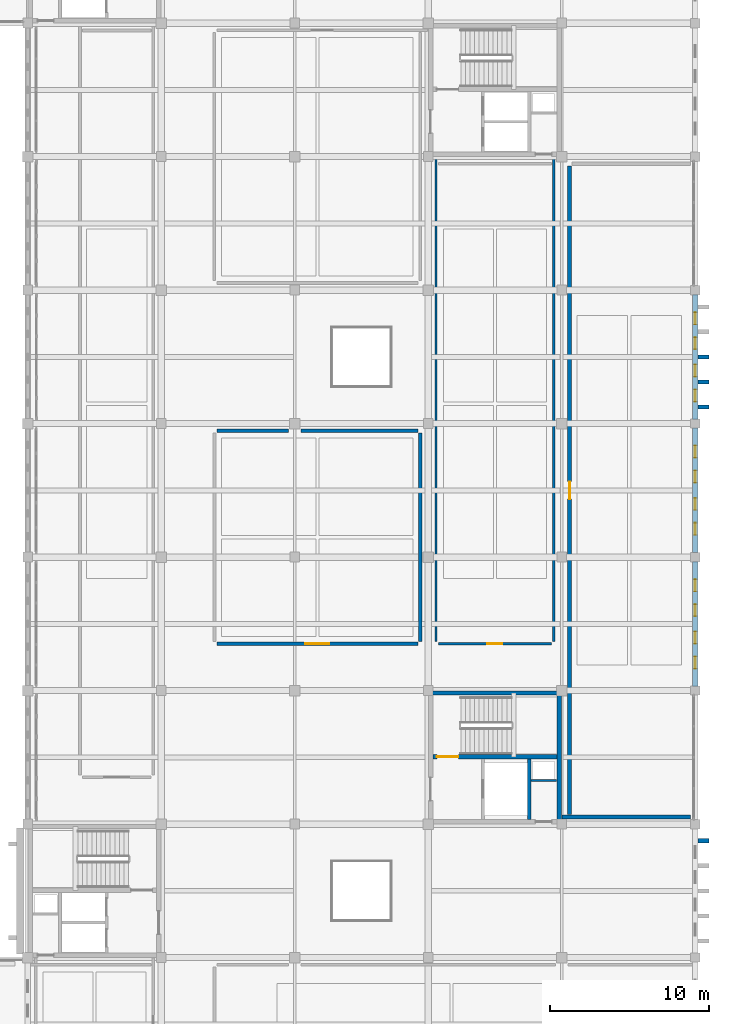
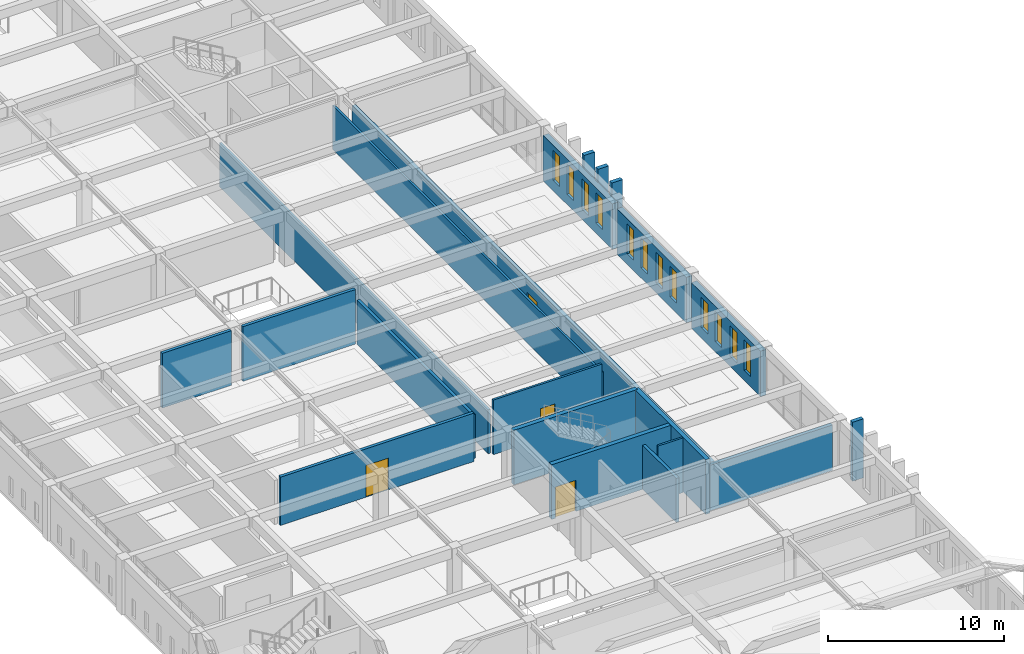
# One storey, part 35 of 47: 21 walls, 12 windows, 4 doors, 16 openings.
"""IFC4 building model written with IfcOpenShell, lengths in metres."""

import ifcopenshell
import ifcopenshell.guid

model = None  # the IFC model being written
_history = None  # IfcOwnerHistory: only IFC2X3 demands one
_inside = {}  # id of a spatial element -> (the spatial element, [elements in it])
_under = {}  # id of a project, library or spatial element -> (it, [spatial elements below it])
_declared = {}  # id of a project -> (the project, [libraries it declares])
_typed = {}  # id of a type object -> (the type object, [elements of that type])
_made_of = {}  # id of a material, layer set ... -> (it, [elements and type objects made of it])


def new_model(schema):
    """Start an empty IFC model of exactly this schema.

    Asked for "IFC4X3", IfcOpenShell would pick the latest addendum, in which some entities
    have other attributes; the version numbers below select the first issue.
    IFC2X3 requires an IfcOwnerHistory on every rooted entity: one is made here for all.
    """
    global model, _history
    if schema == "IFC4X3":
        model = ifcopenshell.file(schema_version=(4, 3, 0, 0))
    else:
        model = ifcopenshell.file(schema=schema)
    _inside.clear()
    _under.clear()
    _declared.clear()
    _typed.clear()
    _made_of.clear()
    _history = None
    if model.schema == "IFC2X3":
        org = make("IfcOrganization", Name="unknown")
        user = make(
            "IfcPersonAndOrganization",
            ThePerson=make("IfcPerson", FamilyName="unknown"),
            TheOrganization=org,
        )
        app = make(
            "IfcApplication",
            ApplicationDeveloper=org,
            Version="unknown",
            ApplicationFullName="unknown",
            ApplicationIdentifier="unknown",
        )
        _history = make(
            "IfcOwnerHistory",
            OwningUser=user,
            OwningApplication=app,
            ChangeAction="ADDED",
            CreationDate=0,
        )
    return model


def make(cls, **values):
    """One entity of the class cls with the attributes given. An attribute that is None is left unset."""
    return model.create_entity(
        cls, **{name: value for name, value in values.items() if value is not None}
    )


def rooted(cls, **values):
    """An entity with a GlobalId (a new one), such as an element, a storey or a relation."""
    return make(cls, GlobalId=ifcopenshell.guid.new(), OwnerHistory=_history, **values)


def si_unit(unit_type, name, prefix=None):
    """IfcSIUnit, for example si_unit("LENGTHUNIT", "METRE", prefix="MILLI")."""
    return make("IfcSIUnit", UnitType=unit_type, Prefix=prefix, Name=name)


def assignment(units):
    """IfcUnitAssignment: the units of a project."""
    return None if units is None else make("IfcUnitAssignment", Units=units)


def point(xyz):
    """IfcCartesianPoint."""
    return None if xyz is None else make("IfcCartesianPoint", Coordinates=xyz)


def direction(xyz):
    """IfcDirection."""
    return None if xyz is None else make("IfcDirection", DirectionRatios=xyz)


def frame(location, z_axis=None, x_axis=None):
    """IfcAxis2Placement3D, a coordinate frame: its origin and axes. An axis left out is left unset."""
    return make(
        "IfcAxis2Placement3D",
        Location=point(location),
        Axis=direction(z_axis),
        RefDirection=direction(x_axis),
    )


def frame_2d(location, x_axis=None):
    """IfcAxis2Placement2D, a coordinate frame in the plane: its origin and x axis."""
    return make(
        "IfcAxis2Placement2D", Location=point(location), RefDirection=direction(x_axis)
    )


def origin():
    """The frame at (0, 0, 0) with its axes left unset."""
    return frame((0.0, 0.0, 0.0))


def place(relative_to, where):
    """IfcLocalPlacement: puts the frame where relative to a parent placement (None: the world)."""
    return make(
        "IfcLocalPlacement", PlacementRelTo=relative_to, RelativePlacement=where
    )


def context(
    kind, dimensions, precision=None, world=None, true_north=None, identifier=None
):
    """IfcGeometricRepresentationContext, for example the 3D "Model" context."""
    return make(
        "IfcGeometricRepresentationContext",
        ContextIdentifier=identifier,
        ContextType=kind,
        CoordinateSpaceDimension=dimensions,
        Precision=precision,
        WorldCoordinateSystem=world,
        TrueNorth=true_north,
    )


def subcontext(parent, identifier, kind, view, scale=None):
    """IfcGeometricRepresentationSubContext, for example "Body" below "Model"."""
    return make(
        "IfcGeometricRepresentationSubContext",
        ContextIdentifier=identifier,
        ContextType=kind,
        ParentContext=parent,
        TargetScale=scale,
        TargetView=view,
    )


def project(units=None, contexts=None):
    """IfcProject with its units and contexts."""
    return rooted(
        "IfcProject",
        Name="project",
        RepresentationContexts=contexts,
        UnitsInContext=assignment(units),
    )


def spatial(cls, under=None, at=None, **own):
    """A site, building, storey or space (cls), placed at a placement, below another one or the project."""
    s = rooted(cls, ObjectPlacement=at, **own)
    if under is not None:
        _under.setdefault(under.id(), (under, []))[1].append(s)
    return s


def profile(cls, at=None, kind="AREA", **sizes):
    """A parametric profile (cls). Its sizes go by their IFC names, for example OverallWidth=200.0."""
    return make(cls, ProfileType=kind, Position=at, **sizes)


def rectangle(**sizes):
    """IfcRectangleProfileDef."""
    return profile("IfcRectangleProfileDef", **sizes)


def extrude(swept, where, along, depth):
    """IfcExtrudedAreaSolid: the profile swept, set in the frame where, extruded along a direction by depth."""
    return make(
        "IfcExtrudedAreaSolid",
        SweptArea=swept,
        Position=where,
        ExtrudedDirection=direction(along),
        Depth=depth,
    )


def shape(context_of_items, identifier, shape_type, items):
    """IfcShapeRepresentation: the items that make up one representation, for example the "Body"."""
    return make(
        "IfcShapeRepresentation",
        ContextOfItems=context_of_items,
        RepresentationIdentifier=identifier,
        RepresentationType=shape_type,
        Items=items,
    )


def material(Name=None, Category=None):
    """IfcMaterial."""
    return make("IfcMaterial", Name=Name, Category=Category)


def layer(
    of_material, thickness, ventilated=None, Name=None, Category=None, Priority=None
):
    """IfcMaterialLayer: one layer of a wall or slab, of a material (None: an air gap)."""
    return make(
        "IfcMaterialLayer",
        Material=of_material,
        LayerThickness=thickness,
        IsVentilated=ventilated,
        Name=Name,
        Category=Category,
        Priority=Priority,
    )


def layer_set(layers, Name=None):
    """IfcMaterialLayerSet."""
    return make("IfcMaterialLayerSet", MaterialLayers=layers, LayerSetName=Name)


def made_of(thing, what):
    """Note that an element or type object is made of a material, layer set ...; save() writes the relation."""
    if what is not None:
        _made_of.setdefault(what.id(), (what, []))[1].append(thing)
    return thing


def type_object(cls, material=None, **own):
    """A type object (cls), such as IfcWallType, which elements share."""
    return made_of(rooted(cls, **own), material)


def element(
    cls,
    number,
    at=None,
    inside=None,
    cuts=None,
    type_object=None,
    material=None,
    context=None,
    identifier="Body",
    shape_type=None,
    held_by="IfcProductDefinitionShape",
    body=None,
    shapes=None,
    **own,
):
    """One element of the class cls, such as IfcWall. Its Tag is "e" and its number.

    at: its placement. inside: the storey or other place that contains it. cuts: it is an
    opening in that element (IfcRelVoidsElement). A single representation is given by context,
    identifier, shape_type and body (its items); several are given by shapes. held_by: the class
    of the entity that holds the representations. save() writes the other relations.
    """
    e = rooted(cls, Tag="e%d" % number, ObjectPlacement=at, **own)
    if body is not None:
        shapes = [shape(context, identifier, shape_type, body)]
    if shapes is not None:
        e.Representation = make(held_by, Representations=shapes)
    if inside is not None:
        _inside.setdefault(inside.id(), (inside, []))[1].append(e)
    if cuts is not None:
        rooted(
            "IfcRelVoidsElement", RelatingBuildingElement=cuts, RelatedOpeningElement=e
        )
    if type_object is not None:
        _typed.setdefault(type_object.id(), (type_object, []))[1].append(e)
    return made_of(e, material)


def fill(opening, filler):
    """IfcRelFillsElement: the door or window that sits in an opening."""
    return rooted(
        "IfcRelFillsElement",
        RelatingOpeningElement=opening,
        RelatedBuildingElement=filler,
    )


def aggregate(whole, parts):
    """IfcRelAggregates: a whole, such as a stair, and the parts it consists of."""
    return rooted("IfcRelAggregates", RelatingObject=whole, RelatedObjects=parts)


def save(model, path):
    """Write the relations noted so far, then the file.

    IfcRelAggregates (storeys below a building ...), IfcRelContainedInSpatialStructure (elements
    in a storey), IfcRelDefinesByType, IfcRelAssociatesMaterial and IfcRelDeclares: one each for
    every whole, place, type object, material and project.
    """
    for whole, parts in _under.values():
        aggregate(whole, parts)
    for where, things in _inside.values():
        rooted(
            "IfcRelContainedInSpatialStructure",
            RelatedElements=things,
            RelatingStructure=where,
        )
    for kind, things in _typed.values():
        rooted("IfcRelDefinesByType", RelatedObjects=things, RelatingType=kind)
    for what, things in _made_of.values():
        rooted("IfcRelAssociatesMaterial", RelatedObjects=things, RelatingMaterial=what)
    for by, libraries in _declared.values():
        rooted("IfcRelDeclares", RelatingContext=by, RelatedDefinitions=libraries)
    model.write(path)


model = new_model("IFC4")

# Units and contexts
model_context = context("Model", 3, precision=1e-05, world=origin(), true_north=direction((0.0, 1.0)))
body_context = subcontext(model_context, "Body", "Model", "MODEL_VIEW")
ifc_project = project(units=[si_unit("LENGTHUNIT", "METRE"), si_unit("AREAUNIT", "SQUARE_METRE"), si_unit("VOLUMEUNIT", "CUBIC_METRE"), si_unit("PLANEANGLEUNIT", "RADIAN"), si_unit("MASSUNIT", "GRAM", prefix="KILO")], contexts=[model_context])

# Site, building, storey
site_placement = place(None, origin())
site = spatial("IfcSite", under=ifc_project, at=site_placement, CompositionType="ELEMENT")
building_placement = place(site_placement, origin())
building = spatial("IfcBuilding", under=site, at=building_placement, Name="Kveldsbrygga Polytechnic", CompositionType="ELEMENT")
storey_placement = place(building_placement, frame((0.0, 0.0, 13.93994140625)))
storey = spatial("IfcBuildingStorey", under=building, at=storey_placement, Name="L03", CompositionType="ELEMENT", Elevation=13.93994140625)

# Wall, openings, windows
ifc_material_1 = material(Name="Fired clay brick masonry M10", Category="masonry")
ifc_layer_1 = layer(ifc_material_1, 0.360107421875)
ifc_layer_set_1 = layer_set([ifc_layer_1], Name="Fired clay brick masonry M10")
wall_type_1 = type_object("IfcWallType", Name="EW-BRICK-360", PredefinedType="SOLIDWALL", material=ifc_layer_set_1)
wall_1_placement = place(storey_placement, frame((168.0, 42.27490234375, 0.0), z_axis=(0.0, 0.0, 1.0), x_axis=(0.0, 1.0, 0.0)))
wall_1 = element("IfcWall", 1, at=wall_1_placement, inside=storey, type_object=wall_type_1, Name="Exterior Brick Wall EW-L03-Y-20-05", PredefinedType="SOLIDWALL", context=body_context, shape_type="SweptSolid", body=[
    extrude(rectangle(XDim=7.840087890625, YDim=0.360107421875, at=frame_2d((3.919921875, 0.0))), origin(), (0.0, 0.0, 1.0), 3.150146484375),
])
opening_1_placement = place(wall_1_placement, frame((1.114501953125, 0.0, 0.699951171875)))
opening_1 = element("IfcOpeningElement", 2, at=opening_1_placement, cuts=wall_1, Name="Opening W-27", PredefinedType="OPENING", context=body_context, shape_type="SweptSolid", body=[
    extrude(rectangle(XDim=0.75, YDim=2.10009765625, at=frame_2d((0.375, 1.050048828125))), frame((0.0, 0.18994140625, 0.0), z_axis=(0.0, -1.0, 0.0), x_axis=(1.0, 0.0, 0.0)), (0.0, 0.0, 1.0), 0.380126953125),
])
opening_2_placement = place(wall_1_placement, frame((2.6826171875, 0.0, 0.699951171875)))
opening_2 = element("IfcOpeningElement", 3, at=opening_2_placement, cuts=wall_1, Name="Opening W-27", PredefinedType="OPENING", context=body_context, shape_type="SweptSolid", body=[
    extrude(rectangle(XDim=0.75, YDim=2.10009765625, at=frame_2d((0.375, 1.050048828125))), frame((0.0, 0.18994140625, 0.0), z_axis=(0.0, -1.0, 0.0), x_axis=(1.0, 0.0, 0.0)), (0.0, 0.0, 1.0), 0.380126953125),
])
opening_3_placement = place(wall_1_placement, frame((4.407470703125, 0.0, 0.699951171875)))
opening_3 = element("IfcOpeningElement", 4, at=opening_3_placement, cuts=wall_1, Name="Opening W-27", PredefinedType="OPENING", context=body_context, shape_type="SweptSolid", body=[
    extrude(rectangle(XDim=0.75, YDim=2.10009765625, at=frame_2d((0.375, 1.050048828125))), frame((0.0, 0.18994140625, 0.0), z_axis=(0.0, -1.0, 0.0), x_axis=(1.0, 0.0, 0.0)), (0.0, 0.0, 1.0), 0.380126953125),
])
opening_4_placement = place(wall_1_placement, frame((5.975341796875, 0.0, 0.699951171875)))
opening_4 = element("IfcOpeningElement", 5, at=opening_4_placement, cuts=wall_1, Name="Opening W-27", PredefinedType="OPENING", context=body_context, shape_type="SweptSolid", body=[
    extrude(rectangle(XDim=0.75, YDim=2.10009765625, at=frame_2d((0.375, 1.050048828125))), frame((0.0, 0.18994140625, 0.0), z_axis=(0.0, -1.0, 0.0), x_axis=(1.0, 0.0, 0.0)), (0.0, 0.0, 1.0), 0.380126953125),
])
ifc_material_2 = material(Name="Insulated triple low-E glass", Category="glass")
window_type = type_object("IfcWindowType", Name="WN-ATTIC-075x210", PartitioningType="DOUBLE_PANEL_VERTICAL", PredefinedType="WINDOW", material=ifc_material_2)
window_1_placement = place(opening_1_placement, origin())
window_1 = element("IfcWindow", 6, at=window_1_placement, inside=storey, type_object=window_type, Name="Gothic Lancet Window WIN-L03-Y-20-05-1", OverallHeight=2.10009765625, OverallWidth=0.75, PartitioningType="DOUBLE_PANEL_VERTICAL", PredefinedType="WINDOW", context=body_context, shape_type="SweptSolid", body=[
    extrude(rectangle(XDim=0.75, YDim=2.10009765625, at=frame_2d((0.375, 1.050048828125))), frame((0.0, 0.030029296875, 0.0), z_axis=(0.0, -1.0, 0.0), x_axis=(1.0, 0.0, 0.0)), (0.0, 0.0, 1.0), 0.06005859375),
])
fill(opening_1, window_1)
window_2_placement = place(opening_2_placement, origin())
window_2 = element("IfcWindow", 7, at=window_2_placement, inside=storey, type_object=window_type, Name="Gothic Lancet Window WIN-L03-Y-20-05-2", OverallHeight=2.10009765625, OverallWidth=0.75, PartitioningType="DOUBLE_PANEL_VERTICAL", PredefinedType="WINDOW", context=body_context, shape_type="SweptSolid", body=[
    extrude(rectangle(XDim=0.75, YDim=2.10009765625, at=frame_2d((0.375, 1.050048828125))), frame((0.0, 0.030029296875, 0.0), z_axis=(0.0, -1.0, 0.0), x_axis=(1.0, 0.0, 0.0)), (0.0, 0.0, 1.0), 0.06005859375),
])
fill(opening_2, window_2)
window_3_placement = place(opening_3_placement, origin())
window_3 = element("IfcWindow", 8, at=window_3_placement, inside=storey, type_object=window_type, Name="Gothic Lancet Window WIN-L03-Y-20-05-3", OverallHeight=2.10009765625, OverallWidth=0.75, PartitioningType="DOUBLE_PANEL_VERTICAL", PredefinedType="WINDOW", context=body_context, shape_type="SweptSolid", body=[
    extrude(rectangle(XDim=0.75, YDim=2.10009765625, at=frame_2d((0.375, 1.050048828125))), frame((0.0, 0.030029296875, 0.0), z_axis=(0.0, -1.0, 0.0), x_axis=(1.0, 0.0, 0.0)), (0.0, 0.0, 1.0), 0.06005859375),
])
fill(opening_3, window_3)
window_4_placement = place(opening_4_placement, origin())
window_4 = element("IfcWindow", 9, at=window_4_placement, inside=storey, type_object=window_type, Name="Gothic Lancet Window WIN-L03-Y-20-05-4", OverallHeight=2.10009765625, OverallWidth=0.75, PartitioningType="DOUBLE_PANEL_VERTICAL", PredefinedType="WINDOW", context=body_context, shape_type="SweptSolid", body=[
    extrude(rectangle(XDim=0.75, YDim=2.10009765625, at=frame_2d((0.375, 1.050048828125))), frame((0.0, 0.030029296875, 0.0), z_axis=(0.0, -1.0, 0.0), x_axis=(1.0, 0.0, 0.0)), (0.0, 0.0, 1.0), 0.06005859375),
])
fill(opening_4, window_4)

wall_2_placement = place(storey_placement, frame((168.0, 50.68505859375, 0.0), z_axis=(0.0, 0.0, 1.0), x_axis=(0.0, 1.0, 0.0)))
wall_2 = element("IfcWall", 10, at=wall_2_placement, inside=storey, type_object=wall_type_1, Name="Exterior Brick Wall EW-L03-Y-20-06", PredefinedType="SOLIDWALL", context=body_context, shape_type="SweptSolid", body=[
    extrude(rectangle(XDim=7.83984375, YDim=0.360107421875, at=frame_2d((3.919921875, 0.0))), origin(), (0.0, 0.0, 1.0), 3.150146484375),
])
opening_5_placement = place(wall_2_placement, frame((1.114501953125, 0.0, 0.699951171875)))
opening_5 = element("IfcOpeningElement", 11, at=opening_5_placement, cuts=wall_2, Name="Opening W-27", PredefinedType="OPENING", context=body_context, shape_type="SweptSolid", body=[
    extrude(rectangle(XDim=0.75, YDim=2.10009765625, at=frame_2d((0.375, 1.050048828125))), frame((0.0, 0.18994140625, 0.0), z_axis=(0.0, -1.0, 0.0), x_axis=(1.0, 0.0, 0.0)), (0.0, 0.0, 1.0), 0.380126953125),
])
opening_6_placement = place(wall_2_placement, frame((2.6826171875, 0.0, 0.699951171875)))
opening_6 = element("IfcOpeningElement", 12, at=opening_6_placement, cuts=wall_2, Name="Opening W-27", PredefinedType="OPENING", context=body_context, shape_type="SweptSolid", body=[
    extrude(rectangle(XDim=0.75, YDim=2.10009765625, at=frame_2d((0.375, 1.050048828125))), frame((0.0, 0.18994140625, 0.0), z_axis=(0.0, -1.0, 0.0), x_axis=(1.0, 0.0, 0.0)), (0.0, 0.0, 1.0), 0.380126953125),
])
opening_7_placement = place(wall_2_placement, frame((4.407470703125, 0.0, 0.699951171875)))
opening_7 = element("IfcOpeningElement", 13, at=opening_7_placement, cuts=wall_2, Name="Opening W-27", PredefinedType="OPENING", context=body_context, shape_type="SweptSolid", body=[
    extrude(rectangle(XDim=0.75, YDim=2.10009765625, at=frame_2d((0.375, 1.050048828125))), frame((0.0, 0.18994140625, 0.0), z_axis=(0.0, -1.0, 0.0), x_axis=(1.0, 0.0, 0.0)), (0.0, 0.0, 1.0), 0.380126953125),
])
opening_8_placement = place(wall_2_placement, frame((5.975341796875, 0.0, 0.699951171875)))
opening_8 = element("IfcOpeningElement", 14, at=opening_8_placement, cuts=wall_2, Name="Opening W-27", PredefinedType="OPENING", context=body_context, shape_type="SweptSolid", body=[
    extrude(rectangle(XDim=0.75, YDim=2.10009765625, at=frame_2d((0.375, 1.050048828125))), frame((0.0, 0.18994140625, 0.0), z_axis=(0.0, -1.0, 0.0), x_axis=(1.0, 0.0, 0.0)), (0.0, 0.0, 1.0), 0.380126953125),
])
window_5_placement = place(opening_5_placement, origin())
window_5 = element("IfcWindow", 15, at=window_5_placement, inside=storey, type_object=window_type, Name="Gothic Lancet Window WIN-L03-Y-20-06-1", OverallHeight=2.10009765625, OverallWidth=0.75, PartitioningType="DOUBLE_PANEL_VERTICAL", PredefinedType="WINDOW", context=body_context, shape_type="SweptSolid", body=[
    extrude(rectangle(XDim=0.75, YDim=2.10009765625, at=frame_2d((0.375, 1.050048828125))), frame((0.0, 0.030029296875, 0.0), z_axis=(0.0, -1.0, 0.0), x_axis=(1.0, 0.0, 0.0)), (0.0, 0.0, 1.0), 0.06005859375),
])
fill(opening_5, window_5)
window_6_placement = place(opening_6_placement, origin())
window_6 = element("IfcWindow", 16, at=window_6_placement, inside=storey, type_object=window_type, Name="Gothic Lancet Window WIN-L03-Y-20-06-2", OverallHeight=2.10009765625, OverallWidth=0.75, PartitioningType="DOUBLE_PANEL_VERTICAL", PredefinedType="WINDOW", context=body_context, shape_type="SweptSolid", body=[
    extrude(rectangle(XDim=0.75, YDim=2.10009765625, at=frame_2d((0.375, 1.050048828125))), frame((0.0, 0.030029296875, 0.0), z_axis=(0.0, -1.0, 0.0), x_axis=(1.0, 0.0, 0.0)), (0.0, 0.0, 1.0), 0.06005859375),
])
fill(opening_6, window_6)
window_7_placement = place(opening_7_placement, origin())
window_7 = element("IfcWindow", 17, at=window_7_placement, inside=storey, type_object=window_type, Name="Gothic Lancet Window WIN-L03-Y-20-06-3", OverallHeight=2.10009765625, OverallWidth=0.75, PartitioningType="DOUBLE_PANEL_VERTICAL", PredefinedType="WINDOW", context=body_context, shape_type="SweptSolid", body=[
    extrude(rectangle(XDim=0.75, YDim=2.10009765625, at=frame_2d((0.375, 1.050048828125))), frame((0.0, 0.030029296875, 0.0), z_axis=(0.0, -1.0, 0.0), x_axis=(1.0, 0.0, 0.0)), (0.0, 0.0, 1.0), 0.06005859375),
])
fill(opening_7, window_7)
window_8_placement = place(opening_8_placement, origin())
window_8 = element("IfcWindow", 18, at=window_8_placement, inside=storey, type_object=window_type, Name="Gothic Lancet Window WIN-L03-Y-20-06-4", OverallHeight=2.10009765625, OverallWidth=0.75, PartitioningType="DOUBLE_PANEL_VERTICAL", PredefinedType="WINDOW", context=body_context, shape_type="SweptSolid", body=[
    extrude(rectangle(XDim=0.75, YDim=2.10009765625, at=frame_2d((0.375, 1.050048828125))), frame((0.0, 0.030029296875, 0.0), z_axis=(0.0, -1.0, 0.0), x_axis=(1.0, 0.0, 0.0)), (0.0, 0.0, 1.0), 0.06005859375),
])
fill(opening_8, window_8)

wall_3_placement = place(storey_placement, frame((168.0, 59.074951171875, 0.0), z_axis=(0.0, 0.0, 1.0), x_axis=(0.0, 1.0, 0.0)))
wall_3 = element("IfcWall", 19, at=wall_3_placement, inside=storey, type_object=wall_type_1, Name="Exterior Brick Wall EW-L03-Y-20-07", PredefinedType="SOLIDWALL", context=body_context, shape_type="SweptSolid", body=[
    extrude(rectangle(XDim=7.840087890625, YDim=0.360107421875, at=frame_2d((3.919921875, 0.0))), origin(), (0.0, 0.0, 1.0), 3.150146484375),
])
opening_9_placement = place(wall_3_placement, frame((1.114501953125, 0.0, 0.699951171875)))
opening_9 = element("IfcOpeningElement", 20, at=opening_9_placement, cuts=wall_3, Name="Opening W-27", PredefinedType="OPENING", context=body_context, shape_type="SweptSolid", body=[
    extrude(rectangle(XDim=0.75, YDim=2.10009765625, at=frame_2d((0.375, 1.050048828125))), frame((0.0, 0.18994140625, 0.0), z_axis=(0.0, -1.0, 0.0), x_axis=(1.0, 0.0, 0.0)), (0.0, 0.0, 1.0), 0.380126953125),
])
opening_10_placement = place(wall_3_placement, frame((2.6826171875, 0.0, 0.699951171875)))
opening_10 = element("IfcOpeningElement", 21, at=opening_10_placement, cuts=wall_3, Name="Opening W-27", PredefinedType="OPENING", context=body_context, shape_type="SweptSolid", body=[
    extrude(rectangle(XDim=0.75, YDim=2.10009765625, at=frame_2d((0.375, 1.050048828125))), frame((0.0, 0.18994140625, 0.0), z_axis=(0.0, -1.0, 0.0), x_axis=(1.0, 0.0, 0.0)), (0.0, 0.0, 1.0), 0.380126953125),
])
opening_11_placement = place(wall_3_placement, frame((4.407470703125, 0.0, 0.699951171875)))
opening_11 = element("IfcOpeningElement", 22, at=opening_11_placement, cuts=wall_3, Name="Opening W-27", PredefinedType="OPENING", context=body_context, shape_type="SweptSolid", body=[
    extrude(rectangle(XDim=0.75, YDim=2.10009765625, at=frame_2d((0.375, 1.050048828125))), frame((0.0, 0.18994140625, 0.0), z_axis=(0.0, -1.0, 0.0), x_axis=(1.0, 0.0, 0.0)), (0.0, 0.0, 1.0), 0.380126953125),
])
opening_12_placement = place(wall_3_placement, frame((5.975341796875, 0.0, 0.699951171875)))
opening_12 = element("IfcOpeningElement", 23, at=opening_12_placement, cuts=wall_3, Name="Opening W-27", PredefinedType="OPENING", context=body_context, shape_type="SweptSolid", body=[
    extrude(rectangle(XDim=0.75, YDim=2.10009765625, at=frame_2d((0.375, 1.050048828125))), frame((0.0, 0.18994140625, 0.0), z_axis=(0.0, -1.0, 0.0), x_axis=(1.0, 0.0, 0.0)), (0.0, 0.0, 1.0), 0.380126953125),
])
window_9_placement = place(opening_9_placement, origin())
window_9 = element("IfcWindow", 24, at=window_9_placement, inside=storey, type_object=window_type, Name="Gothic Lancet Window WIN-L03-Y-20-07-1", OverallHeight=2.10009765625, OverallWidth=0.75, PartitioningType="DOUBLE_PANEL_VERTICAL", PredefinedType="WINDOW", context=body_context, shape_type="SweptSolid", body=[
    extrude(rectangle(XDim=0.75, YDim=2.10009765625, at=frame_2d((0.375, 1.050048828125))), frame((0.0, 0.030029296875, 0.0), z_axis=(0.0, -1.0, 0.0), x_axis=(1.0, 0.0, 0.0)), (0.0, 0.0, 1.0), 0.06005859375),
])
fill(opening_9, window_9)
window_10_placement = place(opening_10_placement, origin())
window_10 = element("IfcWindow", 25, at=window_10_placement, inside=storey, type_object=window_type, Name="Gothic Lancet Window WIN-L03-Y-20-07-2", OverallHeight=2.10009765625, OverallWidth=0.75, PartitioningType="DOUBLE_PANEL_VERTICAL", PredefinedType="WINDOW", context=body_context, shape_type="SweptSolid", body=[
    extrude(rectangle(XDim=0.75, YDim=2.10009765625, at=frame_2d((0.375, 1.050048828125))), frame((0.0, 0.030029296875, 0.0), z_axis=(0.0, -1.0, 0.0), x_axis=(1.0, 0.0, 0.0)), (0.0, 0.0, 1.0), 0.06005859375),
])
fill(opening_10, window_10)
window_11_placement = place(opening_11_placement, origin())
window_11 = element("IfcWindow", 26, at=window_11_placement, inside=storey, type_object=window_type, Name="Gothic Lancet Window WIN-L03-Y-20-07-3", OverallHeight=2.10009765625, OverallWidth=0.75, PartitioningType="DOUBLE_PANEL_VERTICAL", PredefinedType="WINDOW", context=body_context, shape_type="SweptSolid", body=[
    extrude(rectangle(XDim=0.75, YDim=2.10009765625, at=frame_2d((0.375, 1.050048828125))), frame((0.0, 0.030029296875, 0.0), z_axis=(0.0, -1.0, 0.0), x_axis=(1.0, 0.0, 0.0)), (0.0, 0.0, 1.0), 0.06005859375),
])
fill(opening_11, window_11)
window_12_placement = place(opening_12_placement, origin())
window_12 = element("IfcWindow", 27, at=window_12_placement, inside=storey, type_object=window_type, Name="Gothic Lancet Window WIN-L03-Y-20-07-4", OverallHeight=2.10009765625, OverallWidth=0.75, PartitioningType="DOUBLE_PANEL_VERTICAL", PredefinedType="WINDOW", context=body_context, shape_type="SweptSolid", body=[
    extrude(rectangle(XDim=0.75, YDim=2.10009765625, at=frame_2d((0.375, 1.050048828125))), frame((0.0, 0.030029296875, 0.0), z_axis=(0.0, -1.0, 0.0), x_axis=(1.0, 0.0, 0.0)), (0.0, 0.0, 1.0), 0.06005859375),
])
fill(opening_12, window_12)

# Walls
ifc_layer_2 = layer(ifc_material_1, 0.260009765625)
ifc_layer_set_2 = layer_set([ifc_layer_2], Name="Fired clay brick masonry M10")
wall_type_2 = type_object("IfcWallType", Name="EW-BUTT-260", PredefinedType="SOLIDWALL", material=ifc_layer_set_2)
for number, where, z_axis, x_axis, name in (
    (28, (168.1650390625, 32.550048828125, 0.0), (0.0, 0.0, 1.0), (1.0, 0.0, 0.0), "Gothic Brick Buttress Pier BUTT-L03-Y-20-03-5"),
    (29, (168.1650390625, 59.85009765625, 0.0), (0.0, 0.0, 1.0), (1.0, 0.0, 0.0), "Gothic Brick Buttress Pier BUTT-L03-Y-20-07-1"),
    (30, (168.1650390625, 61.419921875, 0.0), (0.0, 0.0, 1.0), (1.0, 0.0, 0.0), "Gothic Brick Buttress Pier BUTT-L03-Y-20-07-2"),
    (31, (168.1650390625, 63.0, 0.0), (0.0, 0.0, 1.0), (1.0, 0.0, 0.0), "Gothic Brick Buttress Pier BUTT-L03-Y-20-07-3"),
):
    element("IfcWall", number, at=place(storey_placement, frame(where, z_axis=z_axis, x_axis=x_axis)), inside=storey, type_object=wall_type_2, Name=name, PredefinedType="SOLIDWALL", context=body_context, shape_type="SweptSolid", body=[
        extrude(rectangle(XDim=0.699951171875, YDim=0.260009765625, at=frame_2d((0.35009765625, 0.0))), origin(), (0.0, 0.0, 1.0), 4.080078125),
    ])

# Wall, opening, door
ifc_layer_3 = layer(ifc_material_1, 0.239990234375)
ifc_layer_set_3 = layer_set([ifc_layer_3], Name="Fired clay brick masonry M10")
wall_type_3 = type_object("IfcWallType", Name="IW-COMP-240", PredefinedType="PARTITIONING", material=ifc_layer_set_3)
wall_4_placement = place(storey_placement, frame((160.10009765625, 34.199951171875, 0.0), z_axis=(0.0, 0.0, 1.0), x_axis=(0.0, 1.0, 0.0)))
wall_4 = element("IfcWall", 32, at=wall_4_placement, inside=storey, type_object=wall_type_3, Name="Partition Wall IW-SP-L03-STK1-W1", PredefinedType="PARTITIONING", context=body_context, shape_type="SweptSolid", body=[
    extrude(rectangle(XDim=40.800048828125, YDim=0.239990234375, at=frame_2d((20.39990234375, 0.0))), origin(), (0.0, 0.0, 1.0), 3.050048828125),
])
opening_13_placement = place(wall_4_placement, frame((19.85009765625, 0.0, 0.0)))
opening_13 = element("IfcOpeningElement", 33, at=opening_13_placement, cuts=wall_4, Name="Opening ID-L03-074", PredefinedType="OPENING", context=body_context, shape_type="SweptSolid", body=[
    extrude(rectangle(XDim=1.10009765625, YDim=2.14990234375, at=frame_2d((0.550048828125, 1.074951171875))), frame((0.0, 0.1298828125, 0.0), z_axis=(0.0, -1.0, 0.0), x_axis=(1.0, 0.0, 0.0)), (0.0, 0.0, 1.0), 0.260009765625),
])
ifc_material_3 = material(Name="Powder-coated galvanised steel", Category="steel")
door_type_1 = type_object("IfcDoorType", Name="ID-STK-110x215", OperationType="NOTDEFINED", PredefinedType="DOOR", material=ifc_material_3)
door_1_placement = place(opening_13_placement, origin())
door_1 = element("IfcDoor", 34, at=door_1_placement, inside=storey, type_object=door_type_1, Name="Interior Door ID-L03-074", OperationType="SINGLE_SWING_RIGHT", OverallHeight=2.14990234375, OverallWidth=1.10009765625, PredefinedType="DOOR", context=body_context, shape_type="SweptSolid", body=[
    extrude(rectangle(XDim=1.10009765625, YDim=2.14990234375, at=frame_2d((0.550048828125, 1.074951171875))), frame((0.0, 0.02490234375, 0.0), z_axis=(0.0, -1.0, 0.0), x_axis=(1.0, 0.0, 0.0)), (0.0, 0.0, 1.0), 0.050048828125),
])
fill(opening_13, door_1)

# Wall
wall_5_placement = place(storey_placement, frame((159.6298828125, 34.050048828125, 0.0), z_axis=(0.0, 0.0, 1.0), x_axis=(1.0, 0.0, 0.0)))
element("IfcWall", 35, at=wall_5_placement, inside=storey, type_object=wall_type_3, Name="Partition Wall IW-SP-L03-STK1-S1", PredefinedType="PARTITIONING", context=body_context, shape_type="SweptSolid", body=[
    extrude(rectangle(XDim=8.090087890625, YDim=0.239990234375, at=frame_2d((4.044921875, 0.0))), origin(), (0.0, 0.0, 1.0), 3.150146484375),
])

# Wall, opening, door
ifc_layer_4 = layer(ifc_material_1, 0.199951171875)
ifc_layer_set_4 = layer_set([ifc_layer_4], Name="Fired clay brick masonry M10")
wall_type_4 = type_object("IfcWallType", Name="IW-LAB-200", PredefinedType="PARTITIONING", material=ifc_layer_set_4)
wall_6_placement = place(storey_placement, frame((137.89990234375, 44.949951171875, 0.0), z_axis=(0.0, 0.0, 1.0), x_axis=(1.0, 0.0, 0.0)))
wall_6 = element("IfcWall", 36, at=wall_6_placement, inside=storey, type_object=wall_type_4, Name="Partition Wall IW-SP-L03-LAB31-S1", PredefinedType="PARTITIONING", context=body_context, shape_type="SweptSolid", body=[
    extrude(rectangle(XDim=12.650146484375, YDim=0.199951171875, at=frame_2d((6.3251953125, 0.0))), origin(), (0.0, 0.0, 1.0), 3.35009765625),
])
opening_14_placement = place(wall_6_placement, frame((5.574951171875, 0.0, 0.0)))
opening_14 = element("IfcOpeningElement", 37, at=opening_14_placement, cuts=wall_6, Name="Opening ID-L03-079", PredefinedType="OPENING", context=body_context, shape_type="SweptSolid", body=[
    extrude(rectangle(XDim=1.5, YDim=2.199951171875, at=frame_2d((0.75, 1.10009765625))), frame((0.0, 0.10986328125, 0.0), z_axis=(0.0, -1.0, 0.0), x_axis=(1.0, 0.0, 0.0)), (0.0, 0.0, 1.0), 0.219970703125),
])
ifc_material_4 = material(Name="Acoustic oak timber", Category="wood")
door_type_2 = type_object("IfcDoorType", Name="ID-LAB-150x220", OperationType="DOUBLE_DOOR_SINGLE_SWING", PredefinedType="DOOR", material=ifc_material_4)
door_2_placement = place(opening_14_placement, origin())
door_2 = element("IfcDoor", 38, at=door_2_placement, inside=storey, type_object=door_type_2, Name="Interior Door ID-L03-079", OperationType="DOUBLE_DOOR_SINGLE_SWING", OverallHeight=2.199951171875, OverallWidth=1.5, PredefinedType="DOOR", context=body_context, shape_type="SweptSolid", body=[
    extrude(rectangle(XDim=1.5, YDim=2.199951171875, at=frame_2d((0.75, 1.10009765625))), frame((0.0, 0.02490234375, 0.0), z_axis=(0.0, -1.0, 0.0), x_axis=(1.0, 0.0, 0.0)), (0.0, 0.0, 1.0), 0.050048828125),
])
fill(opening_14, door_2)

# Walls
wall_7_placement = place(storey_placement, frame((137.89990234375, 58.35009765625, 0.0), z_axis=(0.0, 0.0, 1.0), x_axis=(1.0, 0.0, 0.0)))
element("IfcWall", 39, at=wall_7_placement, inside=storey, type_object=wall_type_4, Name="Partition Wall IW-SP-L03-LAB31-N1", PredefinedType="PARTITIONING", context=body_context, shape_type="SweptSolid", body=[
    extrude(rectangle(XDim=4.51513671875, YDim=0.199951171875, at=frame_2d((2.257568359375, 0.0))), origin(), (0.0, 0.0, 1.0), 3.780029296875),
])
wall_8_placement = place(storey_placement, frame((143.18505859375, 58.35009765625, 0.0), z_axis=(0.0, 0.0, 1.0), x_axis=(1.0, 0.0, 0.0)))
element("IfcWall", 40, at=wall_8_placement, inside=storey, type_object=wall_type_4, Name="Partition Wall IW-SP-L03-LAB31-N2", PredefinedType="PARTITIONING", context=body_context, shape_type="SweptSolid", body=[
    extrude(rectangle(XDim=7.364990234375, YDim=0.199951171875, at=frame_2d((3.6826171875, 0.0))), origin(), (0.0, 0.0, 1.0), 3.780029296875),
])
wall_9_placement = place(storey_placement, frame((150.699951171875, 45.10009765625, 0.0), z_axis=(0.0, 0.0, 1.0), x_axis=(0.0, 1.0, 0.0)))
element("IfcWall", 41, at=wall_9_placement, inside=storey, type_object=wall_type_4, Name="Partition Wall IW-SP-L03-LAB31-E1", PredefinedType="PARTITIONING", context=body_context, shape_type="SweptSolid", body=[
    extrude(rectangle(XDim=13.099853515625, YDim=0.199951171875, at=frame_2d((6.5498046875, 0.0))), origin(), (0.0, 0.0, 1.0), 3.050048828125),
])

# Wall, opening, door
ifc_material_5 = material(Name="Gypsum acoustic stud partition")
ifc_layer_5 = layer(ifc_material_5, 0.139892578125)
ifc_layer_set_5 = layer_set([ifc_layer_5], Name="Gypsum acoustic stud partition")
wall_type_5 = type_object("IfcWallType", Name="IW-OFF-140", PredefinedType="PARTITIONING", material=ifc_layer_set_5)
wall_10_placement = place(storey_placement, frame((151.85009765625, 44.949951171875, 0.0), z_axis=(0.0, 0.0, 1.0), x_axis=(1.0, 0.0, 0.0)))
wall_10 = element("IfcWall", 42, at=wall_10_placement, inside=storey, type_object=wall_type_5, Name="Partition Wall IW-SP-L03-OFF31-S1", PredefinedType="PARTITIONING", context=body_context, shape_type="SweptSolid", body=[
    extrude(rectangle(XDim=7.099853515625, YDim=0.139892578125, at=frame_2d((3.5498046875, 0.0))), origin(), (0.0, 0.0, 1.0), 3.780029296875),
])
opening_15_placement = place(wall_10_placement, frame((3.074951171875, 0.0, 0.0)))
opening_15 = element("IfcOpeningElement", 43, at=opening_15_placement, cuts=wall_10, Name="Opening ID-L03-081", PredefinedType="OPENING", context=body_context, shape_type="SweptSolid", body=[
    extrude(rectangle(XDim=0.949951171875, YDim=2.10009765625, at=frame_2d((0.47509765625, 1.050048828125))), frame((0.0, 0.080078125, 0.0), z_axis=(0.0, -1.0, 0.0), x_axis=(1.0, 0.0, 0.0)), (0.0, 0.0, 1.0), 0.159912109375),
])
door_type_3 = type_object("IfcDoorType", Name="ID-OFF-095x210", OperationType="NOTDEFINED", PredefinedType="DOOR", material=ifc_material_4)
door_3_placement = place(opening_15_placement, origin())
door_3 = element("IfcDoor", 44, at=door_3_placement, inside=storey, type_object=door_type_3, Name="Interior Door ID-L03-081", OperationType="SINGLE_SWING_LEFT", OverallHeight=2.10009765625, OverallWidth=0.949951171875, PredefinedType="DOOR", context=body_context, shape_type="SweptSolid", body=[
    extrude(rectangle(XDim=0.949951171875, YDim=2.10009765625, at=frame_2d((0.47509765625, 1.050048828125))), frame((0.0, 0.02490234375, 0.0), z_axis=(0.0, -1.0, 0.0), x_axis=(1.0, 0.0, 0.0)), (0.0, 0.0, 1.0), 0.050048828125),
])
fill(opening_15, door_3)

# Walls
for number, where, z_axis, x_axis, name in (
    (45, (151.699951171875, 45.10009765625, 0.0), (0.0, 0.0, 1.0), (0.0, 1.0, 0.0), "Partition Wall IW-SP-L03-OFF31-W1"),
    (46, (159.10009765625, 45.10009765625, 0.0), (0.0, 0.0, 1.0), (0.0, 1.0, 0.0), "Partition Wall IW-SP-L03-OFF31-E1"),
):
    element("IfcWall", number, at=place(storey_placement, frame(where, z_axis=z_axis, x_axis=x_axis)), inside=storey, type_object=wall_type_5, Name=name, PredefinedType="PARTITIONING", context=body_context, shape_type="SweptSolid", body=[
        extrude(rectangle(XDim=30.469970703125, YDim=0.139892578125, at=frame_2d((15.23486328125, 0.0))), origin(), (0.0, 0.0, 1.0), 3.050048828125),
    ])
ifc_material_6 = material(Name="Moisture-resistant masonry M10", Category="masonry")
ifc_layer_6 = layer(ifc_material_6, 0.1298828125)
ifc_layer_set_6 = layer_set([ifc_layer_6], Name="Moisture-resistant masonry M10")
wall_type_6 = type_object("IfcWallType", Name="IW-SAN-130", PredefinedType="PARTITIONING", material=ifc_layer_set_6)
wall_11_placement = place(storey_placement, frame((157.659912109375, 36.340087890625, 0.0), z_axis=(0.0, 0.0, 1.0), x_axis=(1.0, 0.0, 0.0)))
element("IfcWall", 47, at=wall_11_placement, inside=storey, type_object=wall_type_6, Name="Core AWC Divider C3-L03-W-RSR", PredefinedType="PARTITIONING", context=body_context, shape_type="SweptSolid", body=[
    extrude(rectangle(XDim=1.6201171875, YDim=0.1298828125, at=frame_2d((0.81005859375, 0.0))), origin(), (0.0, 0.0, 1.0), 3.780029296875),
])
ifc_material_7 = material(Name="Concrete C45/55", Category="concrete")
ifc_layer_7 = layer(ifc_material_7, 0.280029296875)
ifc_layer_set_7 = layer_set([ifc_layer_7], Name="Concrete C45/55")
wall_type_7 = type_object("IfcWallType", Name="WL-CORE-280", PredefinedType="SHEAR", material=ifc_layer_set_7)
wall_12_placement = place(storey_placement, frame((151.35009765625, 41.85009765625, 0.0), z_axis=(0.0, 0.0, 1.0), x_axis=(1.0, 0.0, 0.0)))
element("IfcWall", 48, at=wall_12_placement, inside=storey, type_object=wall_type_7, Name="Core C3 Shear Wall C3-L03-SW-N", PredefinedType="SHEAR", context=body_context, shape_type="SweptSolid", body=[
    extrude(rectangle(XDim=8.099853515625, YDim=0.280029296875, at=frame_2d((4.0498046875, 0.0))), origin(), (0.0, 0.0, 1.0), 3.780029296875),
])
wall_13_placement = place(storey_placement, frame((159.449951171875, 33.75, 0.0), z_axis=(0.0, 0.0, 1.0), x_axis=(0.0, 1.0, 0.0)))
element("IfcWall", 49, at=wall_13_placement, inside=storey, type_object=wall_type_7, Name="Core C3 Shear Wall C3-L03-SW-E", PredefinedType="SHEAR", context=body_context, shape_type="SweptSolid", body=[
    extrude(rectangle(XDim=8.10009765625, YDim=0.280029296875, at=frame_2d((4.050048828125, 0.0))), origin(), (0.0, 0.0, 1.0), 3.780029296875),
])

# Wall, opening, door
wall_14_placement = place(storey_placement, frame((151.5, 37.830078125, 0.0), z_axis=(0.0, 0.0, 1.0), x_axis=(1.0, 0.0, 0.0)))
wall_14 = element("IfcWall", 50, at=wall_14_placement, inside=storey, type_object=wall_type_7, Name="Core C3 Shear Wall C3-L03-W-DIV", PredefinedType="SHEAR", context=body_context, shape_type="SweptSolid", body=[
    extrude(rectangle(XDim=7.800048828125, YDim=0.280029296875, at=frame_2d((3.89990234375, 0.0))), origin(), (0.0, 0.0, 1.0), 3.780029296875),
])
opening_16_placement = place(wall_14_placement, frame((0.25, 0.0, 0.0)))
opening_16 = element("IfcOpeningElement", 51, at=opening_16_placement, cuts=wall_14, Name="Opening FD-C3-L03-ST", PredefinedType="OPENING", context=body_context, shape_type="SweptSolid", body=[
    extrude(rectangle(XDim=1.35009765625, YDim=2.14990234375, at=frame_2d((0.675048828125, 1.074951171875))), frame((0.0, 0.14990234375, 0.0), z_axis=(0.0, -1.0, 0.0), x_axis=(1.0, 0.0, 0.0)), (0.0, 0.0, 1.0), 0.300048828125),
])
door_type_4 = type_object("IfcDoorType", Name="ID-STAIR-135x215", OperationType="NOTDEFINED", PredefinedType="DOOR", material=ifc_material_3)
door_4_placement = place(opening_16_placement, origin())
door_4 = element("IfcDoor", 52, at=door_4_placement, inside=storey, type_object=door_type_4, Name="Stair Fire Door FD-C3-L03-ST", OperationType="SINGLE_SWING_LEFT", OverallHeight=2.14990234375, OverallWidth=1.35009765625, PredefinedType="DOOR", context=body_context, shape_type="SweptSolid", body=[
    extrude(rectangle(XDim=1.35009765625, YDim=2.14990234375, at=frame_2d((0.675048828125, 1.074951171875))), frame((0.0, 0.02490234375, 0.0), z_axis=(0.0, -1.0, 0.0), x_axis=(1.0, 0.0, 0.0)), (0.0, 0.0, 1.0), 0.050048828125),
])
fill(opening_16, door_4)

# Wall
ifc_material_8 = material(Name="Concrete C35/45", Category="concrete")
ifc_layer_8 = layer(ifc_material_8, 0.199951171875)
ifc_layer_set_8 = layer_set([ifc_layer_8], Name="Concrete C35/45")
wall_type_8 = type_object("IfcWallType", Name="WL-SHFT-200", PredefinedType="SHEAR", material=ifc_layer_set_8)
wall_15_placement = place(storey_placement, frame((157.56005859375, 33.89990234375, 0.0), z_axis=(0.0, 0.0, 1.0), x_axis=(0.0, 1.0, 0.0)))
element("IfcWall", 53, at=wall_15_placement, inside=storey, type_object=wall_type_8, Name="Lift Back Wall C3-L03-W-LBK", PredefinedType="SHEAR", context=body_context, shape_type="SweptSolid", body=[
    extrude(rectangle(XDim=3.800048828125, YDim=0.199951171875, at=frame_2d((1.89990234375, 0.0))), origin(), (0.0, 0.0, 1.0), 3.050048828125),
])

save(model, "model.ifc")
